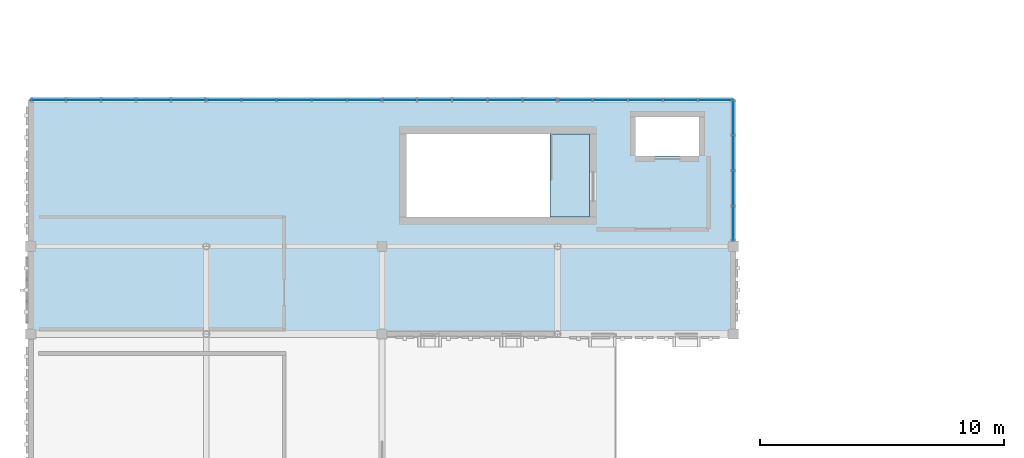
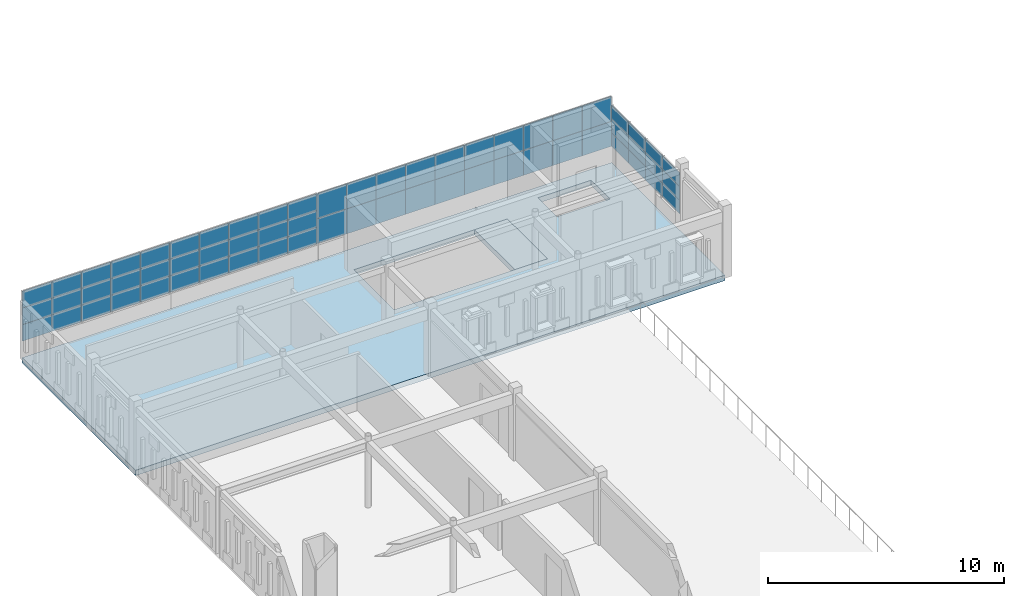
# One storey, part 22 of 46: 62 plates, 2 slabs, 5 elements without a shape of their own.
"""IFC4 building model written with IfcOpenShell, lengths in metres."""

from ifc_helpers import new_model, si_unit, direction, frame, origin, origin_2d, place, context, subcontext, project, spatial, polyline, rectangle, outline, extrude, material, layer, layer_set, type_object, element, aggregate, save


model = new_model("IFC4")

# Units and contexts
model_context = context("Model", 3, precision=1e-05, world=origin(), true_north=direction((0.0, 1.0)))
body_context = subcontext(model_context, "Body", "Model", "MODEL_VIEW")
ifc_project = project(units=[si_unit("LENGTHUNIT", "METRE"), si_unit("AREAUNIT", "SQUARE_METRE"), si_unit("VOLUMEUNIT", "CUBIC_METRE"), si_unit("PLANEANGLEUNIT", "RADIAN"), si_unit("MASSUNIT", "GRAM", prefix="KILO")], contexts=[model_context])

# Site, building, storey
site_placement = place(None, origin())
site = spatial("IfcSite", under=ifc_project, at=site_placement, CompositionType="ELEMENT")
building_placement = place(site_placement, origin())
building = spatial("IfcBuilding", under=site, at=building_placement, Name="Nzembalo Square Collegiate School", CompositionType="ELEMENT")
storey_placement = place(building_placement, frame((0.0, 0.0, 17.340087890625)))
storey = spatial("IfcBuildingStorey", under=building, at=storey_placement, Name="L04", CompositionType="ELEMENT", Elevation=17.340087890625)

# Curtain wall, plates
ifc_material_1 = material(Name="Aluminium 6060-T66", Category="aluminium")
curtain_wall_type_1 = type_object("IfcCurtainWallType", Name="CW-09", PredefinedType="USERDEFINED", material=ifc_material_1)
curtain_wall_1_placement = place(storey_placement, origin())
curtain_wall_1 = element("IfcCurtainWall", 1, at=curtain_wall_1_placement, inside=storey, type_object=curtain_wall_type_1, Name="Curtain wall CW-09 cw:L04:148", ObjectType="UNITISED", PredefinedType="USERDEFINED")
ifc_material_2 = material(Name="Laminated solar-control double glazing", Category="glass")
ifc_layer_1 = layer(ifc_material_2, 0.028076171875, Name="Laminated solar-control double glazing")
ifc_layer_set_1 = layer_set([ifc_layer_1], Name="Laminated solar-control double glazing")
plate_type_1 = type_object("IfcPlateType", Name="PN01", PredefinedType="CURTAIN_PANEL", material=ifc_layer_set_1)
plate_1_placement = place(storey_placement, frame((9.1201171875, 88.800048828125, 0.85400390625), z_axis=(0.0, 0.0, 1.0), x_axis=(1.0, 0.0, 0.0)))
plate_1 = element("IfcPlate", 2, at=plate_1_placement, type_object=plate_type_1, Name="PN01 glazed panel 1-1", PredefinedType="CURTAIN_PANEL", context=body_context, shape_type="SweptSolid", body=[
    extrude(rectangle(XDim=1.431884765625, YDim=0.028076171875, at=origin_2d()), origin(), (0.0, 0.0, 1.0), 0.853271484375),
])
plate_2_placement = place(storey_placement, frame((10.56005859375, 88.800048828125, 0.85400390625), z_axis=(0.0, 0.0, 1.0), x_axis=(1.0, 0.0, 0.0)))
plate_2 = element("IfcPlate", 3, at=plate_2_placement, type_object=plate_type_1, Name="PN01 glazed panel 1-2", PredefinedType="CURTAIN_PANEL", context=body_context, shape_type="SweptSolid", body=[
    extrude(rectangle(XDim=1.431884765625, YDim=0.028076171875, at=origin_2d()), origin(), (0.0, 0.0, 1.0), 0.853271484375),
])
plate_3_placement = place(storey_placement, frame((12.0, 88.800048828125, 0.85400390625), z_axis=(0.0, 0.0, 1.0), x_axis=(1.0, 0.0, 0.0)))
plate_3 = element("IfcPlate", 4, at=plate_3_placement, type_object=plate_type_1, Name="PN01 glazed panel 1-3", PredefinedType="CURTAIN_PANEL", context=body_context, shape_type="SweptSolid", body=[
    extrude(rectangle(XDim=1.431884765625, YDim=0.028076171875, at=origin_2d()), origin(), (0.0, 0.0, 1.0), 0.853271484375),
])
plate_4_placement = place(storey_placement, frame((13.43994140625, 88.800048828125, 0.85400390625), z_axis=(0.0, 0.0, 1.0), x_axis=(1.0, 0.0, 0.0)))
plate_4 = element("IfcPlate", 5, at=plate_4_placement, type_object=plate_type_1, Name="PN01 glazed panel 1-4", PredefinedType="CURTAIN_PANEL", context=body_context, shape_type="SweptSolid", body=[
    extrude(rectangle(XDim=1.431884765625, YDim=0.028076171875, at=origin_2d()), origin(), (0.0, 0.0, 1.0), 0.853271484375),
])
plate_5_placement = place(storey_placement, frame((14.8798828125, 88.800048828125, 0.85400390625), z_axis=(0.0, 0.0, 1.0), x_axis=(1.0, 0.0, 0.0)))
plate_5 = element("IfcPlate", 6, at=plate_5_placement, type_object=plate_type_1, Name="PN01 glazed panel 1-5", PredefinedType="CURTAIN_PANEL", context=body_context, shape_type="SweptSolid", body=[
    extrude(rectangle(XDim=1.431884765625, YDim=0.028076171875, at=origin_2d()), origin(), (0.0, 0.0, 1.0), 0.853271484375),
])
plate_6_placement = place(storey_placement, frame((9.1201171875, 88.800048828125, 1.71533203125), z_axis=(0.0, 0.0, 1.0), x_axis=(1.0, 0.0, 0.0)))
plate_6 = element("IfcPlate", 7, at=plate_6_placement, type_object=plate_type_1, Name="PN01 glazed panel 2-1", PredefinedType="CURTAIN_PANEL", context=body_context, shape_type="SweptSolid", body=[
    extrude(rectangle(XDim=1.431884765625, YDim=0.028076171875, at=origin_2d()), origin(), (0.0, 0.0, 1.0), 0.853271484375),
])
plate_7_placement = place(storey_placement, frame((10.56005859375, 88.800048828125, 1.71533203125), z_axis=(0.0, 0.0, 1.0), x_axis=(1.0, 0.0, 0.0)))
plate_7 = element("IfcPlate", 8, at=plate_7_placement, type_object=plate_type_1, Name="PN01 glazed panel 2-2", PredefinedType="CURTAIN_PANEL", context=body_context, shape_type="SweptSolid", body=[
    extrude(rectangle(XDim=1.431884765625, YDim=0.028076171875, at=origin_2d()), origin(), (0.0, 0.0, 1.0), 0.853271484375),
])
plate_8_placement = place(storey_placement, frame((12.0, 88.800048828125, 1.71533203125), z_axis=(0.0, 0.0, 1.0), x_axis=(1.0, 0.0, 0.0)))
plate_8 = element("IfcPlate", 9, at=plate_8_placement, type_object=plate_type_1, Name="PN01 glazed panel 2-3", PredefinedType="CURTAIN_PANEL", context=body_context, shape_type="SweptSolid", body=[
    extrude(rectangle(XDim=1.431884765625, YDim=0.028076171875, at=origin_2d()), origin(), (0.0, 0.0, 1.0), 0.853271484375),
])
plate_9_placement = place(storey_placement, frame((13.43994140625, 88.800048828125, 1.71533203125), z_axis=(0.0, 0.0, 1.0), x_axis=(1.0, 0.0, 0.0)))
plate_9 = element("IfcPlate", 10, at=plate_9_placement, type_object=plate_type_1, Name="PN01 glazed panel 2-4", PredefinedType="CURTAIN_PANEL", context=body_context, shape_type="SweptSolid", body=[
    extrude(rectangle(XDim=1.431884765625, YDim=0.028076171875, at=origin_2d()), origin(), (0.0, 0.0, 1.0), 0.853271484375),
])
plate_10_placement = place(storey_placement, frame((14.8798828125, 88.800048828125, 1.71533203125), z_axis=(0.0, 0.0, 1.0), x_axis=(1.0, 0.0, 0.0)))
plate_10 = element("IfcPlate", 11, at=plate_10_placement, type_object=plate_type_1, Name="PN01 glazed panel 2-5", PredefinedType="CURTAIN_PANEL", context=body_context, shape_type="SweptSolid", body=[
    extrude(rectangle(XDim=1.431884765625, YDim=0.028076171875, at=origin_2d()), origin(), (0.0, 0.0, 1.0), 0.853271484375),
])
plate_11_placement = place(storey_placement, frame((9.1201171875, 88.800048828125, 2.57666015625), z_axis=(0.0, 0.0, 1.0), x_axis=(1.0, 0.0, 0.0)))
plate_11 = element("IfcPlate", 12, at=plate_11_placement, type_object=plate_type_1, Name="PN01 glazed panel 3-1", PredefinedType="CURTAIN_PANEL", context=body_context, shape_type="SweptSolid", body=[
    extrude(rectangle(XDim=1.431884765625, YDim=0.028076171875, at=origin_2d()), origin(), (0.0, 0.0, 1.0), 0.853271484375),
])
plate_12_placement = place(storey_placement, frame((10.56005859375, 88.800048828125, 2.57666015625), z_axis=(0.0, 0.0, 1.0), x_axis=(1.0, 0.0, 0.0)))
plate_12 = element("IfcPlate", 13, at=plate_12_placement, type_object=plate_type_1, Name="PN01 glazed panel 3-2", PredefinedType="CURTAIN_PANEL", context=body_context, shape_type="SweptSolid", body=[
    extrude(rectangle(XDim=1.431884765625, YDim=0.028076171875, at=origin_2d()), origin(), (0.0, 0.0, 1.0), 0.853271484375),
])
plate_13_placement = place(storey_placement, frame((12.0, 88.800048828125, 2.57666015625), z_axis=(0.0, 0.0, 1.0), x_axis=(1.0, 0.0, 0.0)))
plate_13 = element("IfcPlate", 14, at=plate_13_placement, type_object=plate_type_1, Name="PN01 glazed panel 3-3", PredefinedType="CURTAIN_PANEL", context=body_context, shape_type="SweptSolid", body=[
    extrude(rectangle(XDim=1.431884765625, YDim=0.028076171875, at=origin_2d()), origin(), (0.0, 0.0, 1.0), 0.853271484375),
])
plate_14_placement = place(storey_placement, frame((13.43994140625, 88.800048828125, 2.57666015625), z_axis=(0.0, 0.0, 1.0), x_axis=(1.0, 0.0, 0.0)))
plate_14 = element("IfcPlate", 15, at=plate_14_placement, type_object=plate_type_1, Name="PN01 glazed panel 3-4", PredefinedType="CURTAIN_PANEL", context=body_context, shape_type="SweptSolid", body=[
    extrude(rectangle(XDim=1.431884765625, YDim=0.028076171875, at=origin_2d()), origin(), (0.0, 0.0, 1.0), 0.853271484375),
])
plate_15_placement = place(storey_placement, frame((14.8798828125, 88.800048828125, 2.57666015625), z_axis=(0.0, 0.0, 1.0), x_axis=(1.0, 0.0, 0.0)))
plate_15 = element("IfcPlate", 16, at=plate_15_placement, type_object=plate_type_1, Name="PN01 glazed panel 3-5", PredefinedType="CURTAIN_PANEL", context=body_context, shape_type="SweptSolid", body=[
    extrude(rectangle(XDim=1.431884765625, YDim=0.028076171875, at=origin_2d()), origin(), (0.0, 0.0, 1.0), 0.853271484375),
])
aggregate(curtain_wall_1, [plate_1, plate_2, plate_3, plate_4, plate_5, plate_6, plate_7, plate_8, plate_9, plate_10, plate_11, plate_12, plate_13, plate_14, plate_15])

ifc_material_3 = material(Name="Aluminium 6060-T66", Category="aluminium")
curtain_wall_type_2 = type_object("IfcCurtainWallType", Name="CW-10", PredefinedType="USERDEFINED", material=ifc_material_3)
curtain_wall_2_placement = place(storey_placement, origin())
curtain_wall_2 = element("IfcCurtainWall", 17, at=curtain_wall_2_placement, inside=storey, type_object=curtain_wall_type_2, Name="Curtain wall CW-10 cw:L04:149", ObjectType="UNITISED", PredefinedType="USERDEFINED")
plate_16_placement = place(storey_placement, frame((16.320068359375, 88.800048828125, 0.85400390625), z_axis=(0.0, 0.0, 1.0), x_axis=(1.0, 0.0, 0.0)))
plate_16 = element("IfcPlate", 18, at=plate_16_placement, type_object=plate_type_1, Name="PN01 glazed panel 1-1", PredefinedType="CURTAIN_PANEL", context=body_context, shape_type="SweptSolid", body=[
    extrude(rectangle(XDim=1.431884765625, YDim=0.028076171875, at=origin_2d()), origin(), (0.0, 0.0, 1.0), 0.853271484375),
])
plate_17_placement = place(storey_placement, frame((17.760009765625, 88.800048828125, 0.85400390625), z_axis=(0.0, 0.0, 1.0), x_axis=(1.0, 0.0, 0.0)))
plate_17 = element("IfcPlate", 19, at=plate_17_placement, type_object=plate_type_1, Name="PN01 glazed panel 1-2", PredefinedType="CURTAIN_PANEL", context=body_context, shape_type="SweptSolid", body=[
    extrude(rectangle(XDim=1.431884765625, YDim=0.028076171875, at=origin_2d()), origin(), (0.0, 0.0, 1.0), 0.853271484375),
])
plate_18_placement = place(storey_placement, frame((19.199951171875, 88.800048828125, 0.85400390625), z_axis=(0.0, 0.0, 1.0), x_axis=(1.0, 0.0, 0.0)))
plate_18 = element("IfcPlate", 20, at=plate_18_placement, type_object=plate_type_1, Name="PN01 glazed panel 1-3", PredefinedType="CURTAIN_PANEL", context=body_context, shape_type="SweptSolid", body=[
    extrude(rectangle(XDim=1.431884765625, YDim=0.028076171875, at=origin_2d()), origin(), (0.0, 0.0, 1.0), 0.853271484375),
])
plate_19_placement = place(storey_placement, frame((20.639892578125, 88.800048828125, 0.85400390625), z_axis=(0.0, 0.0, 1.0), x_axis=(1.0, 0.0, 0.0)))
plate_19 = element("IfcPlate", 21, at=plate_19_placement, type_object=plate_type_1, Name="PN01 glazed panel 1-4", PredefinedType="CURTAIN_PANEL", context=body_context, shape_type="SweptSolid", body=[
    extrude(rectangle(XDim=1.431884765625, YDim=0.028076171875, at=origin_2d()), origin(), (0.0, 0.0, 1.0), 0.853271484375),
])
plate_20_placement = place(storey_placement, frame((22.080078125, 88.800048828125, 0.85400390625), z_axis=(0.0, 0.0, 1.0), x_axis=(1.0, 0.0, 0.0)))
plate_20 = element("IfcPlate", 22, at=plate_20_placement, type_object=plate_type_1, Name="PN01 glazed panel 1-5", PredefinedType="CURTAIN_PANEL", context=body_context, shape_type="SweptSolid", body=[
    extrude(rectangle(XDim=1.431884765625, YDim=0.028076171875, at=origin_2d()), origin(), (0.0, 0.0, 1.0), 0.853271484375),
])
plate_21_placement = place(storey_placement, frame((16.320068359375, 88.800048828125, 1.71533203125), z_axis=(0.0, 0.0, 1.0), x_axis=(1.0, 0.0, 0.0)))
plate_21 = element("IfcPlate", 23, at=plate_21_placement, type_object=plate_type_1, Name="PN01 glazed panel 2-1", PredefinedType="CURTAIN_PANEL", context=body_context, shape_type="SweptSolid", body=[
    extrude(rectangle(XDim=1.431884765625, YDim=0.028076171875, at=origin_2d()), origin(), (0.0, 0.0, 1.0), 0.853271484375),
])
plate_22_placement = place(storey_placement, frame((17.760009765625, 88.800048828125, 1.71533203125), z_axis=(0.0, 0.0, 1.0), x_axis=(1.0, 0.0, 0.0)))
plate_22 = element("IfcPlate", 24, at=plate_22_placement, type_object=plate_type_1, Name="PN01 glazed panel 2-2", PredefinedType="CURTAIN_PANEL", context=body_context, shape_type="SweptSolid", body=[
    extrude(rectangle(XDim=1.431884765625, YDim=0.028076171875, at=origin_2d()), origin(), (0.0, 0.0, 1.0), 0.853271484375),
])
plate_23_placement = place(storey_placement, frame((19.199951171875, 88.800048828125, 1.71533203125), z_axis=(0.0, 0.0, 1.0), x_axis=(1.0, 0.0, 0.0)))
plate_23 = element("IfcPlate", 25, at=plate_23_placement, type_object=plate_type_1, Name="PN01 glazed panel 2-3", PredefinedType="CURTAIN_PANEL", context=body_context, shape_type="SweptSolid", body=[
    extrude(rectangle(XDim=1.431884765625, YDim=0.028076171875, at=origin_2d()), origin(), (0.0, 0.0, 1.0), 0.853271484375),
])
plate_24_placement = place(storey_placement, frame((20.639892578125, 88.800048828125, 1.71533203125), z_axis=(0.0, 0.0, 1.0), x_axis=(1.0, 0.0, 0.0)))
plate_24 = element("IfcPlate", 26, at=plate_24_placement, type_object=plate_type_1, Name="PN01 glazed panel 2-4", PredefinedType="CURTAIN_PANEL", context=body_context, shape_type="SweptSolid", body=[
    extrude(rectangle(XDim=1.431884765625, YDim=0.028076171875, at=origin_2d()), origin(), (0.0, 0.0, 1.0), 0.853271484375),
])
plate_25_placement = place(storey_placement, frame((22.080078125, 88.800048828125, 1.71533203125), z_axis=(0.0, 0.0, 1.0), x_axis=(1.0, 0.0, 0.0)))
plate_25 = element("IfcPlate", 27, at=plate_25_placement, type_object=plate_type_1, Name="PN01 glazed panel 2-5", PredefinedType="CURTAIN_PANEL", context=body_context, shape_type="SweptSolid", body=[
    extrude(rectangle(XDim=1.431884765625, YDim=0.028076171875, at=origin_2d()), origin(), (0.0, 0.0, 1.0), 0.853271484375),
])
plate_26_placement = place(storey_placement, frame((16.320068359375, 88.800048828125, 2.57666015625), z_axis=(0.0, 0.0, 1.0), x_axis=(1.0, 0.0, 0.0)))
plate_26 = element("IfcPlate", 28, at=plate_26_placement, type_object=plate_type_1, Name="PN01 glazed panel 3-1", PredefinedType="CURTAIN_PANEL", context=body_context, shape_type="SweptSolid", body=[
    extrude(rectangle(XDim=1.431884765625, YDim=0.028076171875, at=origin_2d()), origin(), (0.0, 0.0, 1.0), 0.853271484375),
])
plate_27_placement = place(storey_placement, frame((17.760009765625, 88.800048828125, 2.57666015625), z_axis=(0.0, 0.0, 1.0), x_axis=(1.0, 0.0, 0.0)))
plate_27 = element("IfcPlate", 29, at=plate_27_placement, type_object=plate_type_1, Name="PN01 glazed panel 3-2", PredefinedType="CURTAIN_PANEL", context=body_context, shape_type="SweptSolid", body=[
    extrude(rectangle(XDim=1.431884765625, YDim=0.028076171875, at=origin_2d()), origin(), (0.0, 0.0, 1.0), 0.853271484375),
])
plate_28_placement = place(storey_placement, frame((19.199951171875, 88.800048828125, 2.57666015625), z_axis=(0.0, 0.0, 1.0), x_axis=(1.0, 0.0, 0.0)))
plate_28 = element("IfcPlate", 30, at=plate_28_placement, type_object=plate_type_1, Name="PN01 glazed panel 3-3", PredefinedType="CURTAIN_PANEL", context=body_context, shape_type="SweptSolid", body=[
    extrude(rectangle(XDim=1.431884765625, YDim=0.028076171875, at=origin_2d()), origin(), (0.0, 0.0, 1.0), 0.853271484375),
])
plate_29_placement = place(storey_placement, frame((20.639892578125, 88.800048828125, 2.57666015625), z_axis=(0.0, 0.0, 1.0), x_axis=(1.0, 0.0, 0.0)))
plate_29 = element("IfcPlate", 31, at=plate_29_placement, type_object=plate_type_1, Name="PN01 glazed panel 3-4", PredefinedType="CURTAIN_PANEL", context=body_context, shape_type="SweptSolid", body=[
    extrude(rectangle(XDim=1.431884765625, YDim=0.028076171875, at=origin_2d()), origin(), (0.0, 0.0, 1.0), 0.853271484375),
])
plate_30_placement = place(storey_placement, frame((22.080078125, 88.800048828125, 2.57666015625), z_axis=(0.0, 0.0, 1.0), x_axis=(1.0, 0.0, 0.0)))
plate_30 = element("IfcPlate", 32, at=plate_30_placement, type_object=plate_type_1, Name="PN01 glazed panel 3-5", PredefinedType="CURTAIN_PANEL", context=body_context, shape_type="SweptSolid", body=[
    extrude(rectangle(XDim=1.431884765625, YDim=0.028076171875, at=origin_2d()), origin(), (0.0, 0.0, 1.0), 0.853271484375),
])
aggregate(curtain_wall_2, [plate_16, plate_17, plate_18, plate_19, plate_20, plate_21, plate_22, plate_23, plate_24, plate_25, plate_26, plate_27, plate_28, plate_29, plate_30])

ifc_material_4 = material(Name="Aluminium 6060-T66", Category="aluminium")
curtain_wall_type_3 = type_object("IfcCurtainWallType", Name="CW-01", PredefinedType="USERDEFINED", material=ifc_material_4)
curtain_wall_3_placement = place(storey_placement, origin())
curtain_wall_3 = element("IfcCurtainWall", 33, at=curtain_wall_3_placement, inside=storey, type_object=curtain_wall_type_3, Name="Curtain wall CW-01 cw:L04:152", ObjectType="UNITISED", PredefinedType="USERDEFINED")
plate_31_placement = place(storey_placement, frame((37.199951171875, 83.735595703125, 0.85400390625), z_axis=(0.0, 0.0, 1.0), x_axis=(0.0, 1.0, 0.0)))
plate_31 = element("IfcPlate", 34, at=plate_31_placement, type_object=plate_type_1, Name="PN01 glazed panel 1-1", PredefinedType="CURTAIN_PANEL", context=body_context, shape_type="SweptSolid", body=[
    extrude(rectangle(XDim=1.43896484375, YDim=0.028076171875, at=origin_2d()), origin(), (0.0, 0.0, 1.0), 0.70166015625),
])
plate_32_placement = place(storey_placement, frame((37.199951171875, 85.1826171875, 0.85400390625), z_axis=(0.0, 0.0, 1.0), x_axis=(0.0, 1.0, 0.0)))
plate_32 = element("IfcPlate", 35, at=plate_32_placement, type_object=plate_type_1, Name="PN01 glazed panel 1-2", PredefinedType="CURTAIN_PANEL", context=body_context, shape_type="SweptSolid", body=[
    extrude(rectangle(XDim=1.43896484375, YDim=0.028076171875, at=origin_2d()), origin(), (0.0, 0.0, 1.0), 0.70166015625),
])
plate_33_placement = place(storey_placement, frame((37.199951171875, 86.62939453125, 0.85400390625), z_axis=(0.0, 0.0, 1.0), x_axis=(0.0, 1.0, 0.0)))
plate_33 = element("IfcPlate", 36, at=plate_33_placement, type_object=plate_type_1, Name="PN01 glazed panel 1-3", PredefinedType="CURTAIN_PANEL", context=body_context, shape_type="SweptSolid", body=[
    extrude(rectangle(XDim=1.43896484375, YDim=0.028076171875, at=origin_2d()), origin(), (0.0, 0.0, 1.0), 0.70166015625),
])
plate_34_placement = place(storey_placement, frame((37.199951171875, 88.076416015625, 0.85400390625), z_axis=(0.0, 0.0, 1.0), x_axis=(0.0, 1.0, 0.0)))
plate_34 = element("IfcPlate", 37, at=plate_34_placement, type_object=plate_type_1, Name="PN01 glazed panel 1-4", PredefinedType="CURTAIN_PANEL", context=body_context, shape_type="SweptSolid", body=[
    extrude(rectangle(XDim=1.43896484375, YDim=0.028076171875, at=origin_2d()), origin(), (0.0, 0.0, 1.0), 0.70166015625),
])
plate_35_placement = place(storey_placement, frame((37.199951171875, 83.735595703125, 1.5634765625), z_axis=(0.0, 0.0, 1.0), x_axis=(0.0, 1.0, 0.0)))
plate_35 = element("IfcPlate", 38, at=plate_35_placement, type_object=plate_type_1, Name="PN01 glazed panel 2-1", PredefinedType="CURTAIN_PANEL", context=body_context, shape_type="SweptSolid", body=[
    extrude(rectangle(XDim=1.43896484375, YDim=0.028076171875, at=origin_2d()), origin(), (0.0, 0.0, 1.0), 0.70166015625),
])
plate_36_placement = place(storey_placement, frame((37.199951171875, 85.1826171875, 1.5634765625), z_axis=(0.0, 0.0, 1.0), x_axis=(0.0, 1.0, 0.0)))
plate_36 = element("IfcPlate", 39, at=plate_36_placement, type_object=plate_type_1, Name="PN01 glazed panel 2-2", PredefinedType="CURTAIN_PANEL", context=body_context, shape_type="SweptSolid", body=[
    extrude(rectangle(XDim=1.43896484375, YDim=0.028076171875, at=origin_2d()), origin(), (0.0, 0.0, 1.0), 0.70166015625),
])
plate_37_placement = place(storey_placement, frame((37.199951171875, 86.62939453125, 1.5634765625), z_axis=(0.0, 0.0, 1.0), x_axis=(0.0, 1.0, 0.0)))
plate_37 = element("IfcPlate", 40, at=plate_37_placement, type_object=plate_type_1, Name="PN01 glazed panel 2-3", PredefinedType="CURTAIN_PANEL", context=body_context, shape_type="SweptSolid", body=[
    extrude(rectangle(XDim=1.43896484375, YDim=0.028076171875, at=origin_2d()), origin(), (0.0, 0.0, 1.0), 0.70166015625),
])
plate_38_placement = place(storey_placement, frame((37.199951171875, 88.076416015625, 1.5634765625), z_axis=(0.0, 0.0, 1.0), x_axis=(0.0, 1.0, 0.0)))
plate_38 = element("IfcPlate", 41, at=plate_38_placement, type_object=plate_type_1, Name="PN01 glazed panel 2-4", PredefinedType="CURTAIN_PANEL", context=body_context, shape_type="SweptSolid", body=[
    extrude(rectangle(XDim=1.43896484375, YDim=0.028076171875, at=origin_2d()), origin(), (0.0, 0.0, 1.0), 0.70166015625),
])
plate_39_placement = place(storey_placement, frame((37.199951171875, 83.735595703125, 2.273193359375), z_axis=(0.0, 0.0, 1.0), x_axis=(0.0, 1.0, 0.0)))
plate_39 = element("IfcPlate", 42, at=plate_39_placement, type_object=plate_type_1, Name="PN01 glazed panel 3-1", PredefinedType="CURTAIN_PANEL", context=body_context, shape_type="SweptSolid", body=[
    extrude(rectangle(XDim=1.43896484375, YDim=0.028076171875, at=origin_2d()), origin(), (0.0, 0.0, 1.0), 0.70166015625),
])
plate_40_placement = place(storey_placement, frame((37.199951171875, 85.1826171875, 2.273193359375), z_axis=(0.0, 0.0, 1.0), x_axis=(0.0, 1.0, 0.0)))
plate_40 = element("IfcPlate", 43, at=plate_40_placement, type_object=plate_type_1, Name="PN01 glazed panel 3-2", PredefinedType="CURTAIN_PANEL", context=body_context, shape_type="SweptSolid", body=[
    extrude(rectangle(XDim=1.43896484375, YDim=0.028076171875, at=origin_2d()), origin(), (0.0, 0.0, 1.0), 0.70166015625),
])
plate_41_placement = place(storey_placement, frame((37.199951171875, 86.62939453125, 2.273193359375), z_axis=(0.0, 0.0, 1.0), x_axis=(0.0, 1.0, 0.0)))
plate_41 = element("IfcPlate", 44, at=plate_41_placement, type_object=plate_type_1, Name="PN01 glazed panel 3-3", PredefinedType="CURTAIN_PANEL", context=body_context, shape_type="SweptSolid", body=[
    extrude(rectangle(XDim=1.43896484375, YDim=0.028076171875, at=origin_2d()), origin(), (0.0, 0.0, 1.0), 0.70166015625),
])
plate_42_placement = place(storey_placement, frame((37.199951171875, 88.076416015625, 2.273193359375), z_axis=(0.0, 0.0, 1.0), x_axis=(0.0, 1.0, 0.0)))
plate_42 = element("IfcPlate", 45, at=plate_42_placement, type_object=plate_type_1, Name="PN01 glazed panel 3-4", PredefinedType="CURTAIN_PANEL", context=body_context, shape_type="SweptSolid", body=[
    extrude(rectangle(XDim=1.43896484375, YDim=0.028076171875, at=origin_2d()), origin(), (0.0, 0.0, 1.0), 0.70166015625),
])
aggregate(curtain_wall_3, [plate_31, plate_32, plate_33, plate_34, plate_35, plate_36, plate_37, plate_38, plate_39, plate_40, plate_41, plate_42])

ifc_material_5 = material(Name="Aluminium 6060-T66", Category="aluminium")
curtain_wall_type_4 = type_object("IfcCurtainWallType", Name="CW-11", PredefinedType="USERDEFINED", material=ifc_material_5)
curtain_wall_4_placement = place(storey_placement, origin())
curtain_wall_4 = element("IfcCurtainWall", 46, at=curtain_wall_4_placement, inside=storey, type_object=curtain_wall_type_4, Name="Curtain wall CW-11 cw:L04:150", ObjectType="LANCET", PredefinedType="USERDEFINED")
ifc_material_6 = material(Name="Acoustic laminated solar-control glazing", Category="glass")
ifc_layer_2 = layer(ifc_material_6, 0.031982421875, Name="Acoustic laminated solar-control glazing")
ifc_layer_set_2 = layer_set([ifc_layer_2], Name="Acoustic laminated solar-control glazing")
plate_type_2 = type_object("IfcPlateType", Name="PN02", PredefinedType="CURTAIN_PANEL", material=ifc_layer_set_2)
plate_43_placement = place(storey_placement, frame((23.52001953125, 88.800048828125, 0.85400390625), z_axis=(0.0, 0.0, 1.0), x_axis=(1.0, 0.0, 0.0)))
plate_43 = element("IfcPlate", 47, at=plate_43_placement, type_object=plate_type_2, Name="PN02 glazed panel 1-1", PredefinedType="CURTAIN_PANEL", context=body_context, shape_type="SweptSolid", body=[
    extrude(rectangle(XDim=1.431884765625, YDim=0.031982421875, at=origin_2d()), origin(), (0.0, 0.0, 1.0), 1.283935546875),
])
plate_44_placement = place(storey_placement, frame((24.9599609375, 88.800048828125, 0.85400390625), z_axis=(0.0, 0.0, 1.0), x_axis=(1.0, 0.0, 0.0)))
plate_44 = element("IfcPlate", 48, at=plate_44_placement, type_object=plate_type_2, Name="PN02 glazed panel 1-2", PredefinedType="CURTAIN_PANEL", context=body_context, shape_type="SweptSolid", body=[
    extrude(rectangle(XDim=1.431884765625, YDim=0.031982421875, at=origin_2d()), origin(), (0.0, 0.0, 1.0), 1.283935546875),
])
plate_45_placement = place(storey_placement, frame((26.39990234375, 88.800048828125, 0.85400390625), z_axis=(0.0, 0.0, 1.0), x_axis=(1.0, 0.0, 0.0)))
plate_45 = element("IfcPlate", 49, at=plate_45_placement, type_object=plate_type_2, Name="PN02 glazed panel 1-3", PredefinedType="CURTAIN_PANEL", context=body_context, shape_type="SweptSolid", body=[
    extrude(rectangle(XDim=1.431884765625, YDim=0.031982421875, at=origin_2d()), origin(), (0.0, 0.0, 1.0), 1.283935546875),
])
plate_46_placement = place(storey_placement, frame((27.840087890625, 88.800048828125, 0.85400390625), z_axis=(0.0, 0.0, 1.0), x_axis=(1.0, 0.0, 0.0)))
plate_46 = element("IfcPlate", 50, at=plate_46_placement, type_object=plate_type_2, Name="PN02 glazed panel 1-4", PredefinedType="CURTAIN_PANEL", context=body_context, shape_type="SweptSolid", body=[
    extrude(rectangle(XDim=1.431884765625, YDim=0.031982421875, at=origin_2d()), origin(), (0.0, 0.0, 1.0), 1.283935546875),
])
plate_47_placement = place(storey_placement, frame((29.280029296875, 88.800048828125, 0.85400390625), z_axis=(0.0, 0.0, 1.0), x_axis=(1.0, 0.0, 0.0)))
plate_47 = element("IfcPlate", 51, at=plate_47_placement, type_object=plate_type_2, Name="PN02 glazed panel 1-5", PredefinedType="CURTAIN_PANEL", context=body_context, shape_type="SweptSolid", body=[
    extrude(rectangle(XDim=1.431884765625, YDim=0.031982421875, at=origin_2d()), origin(), (0.0, 0.0, 1.0), 1.283935546875),
])
plate_48_placement = place(storey_placement, frame((23.52001953125, 88.800048828125, 2.14599609375), z_axis=(0.0, 0.0, 1.0), x_axis=(1.0, 0.0, 0.0)))
plate_48 = element("IfcPlate", 52, at=plate_48_placement, type_object=plate_type_2, Name="PN02 glazed panel 2-1", PredefinedType="CURTAIN_PANEL", context=body_context, shape_type="SweptSolid", body=[
    extrude(rectangle(XDim=1.431884765625, YDim=0.031982421875, at=origin_2d()), origin(), (0.0, 0.0, 1.0), 1.283935546875),
])
plate_49_placement = place(storey_placement, frame((24.9599609375, 88.800048828125, 2.14599609375), z_axis=(0.0, 0.0, 1.0), x_axis=(1.0, 0.0, 0.0)))
plate_49 = element("IfcPlate", 53, at=plate_49_placement, type_object=plate_type_2, Name="PN02 glazed panel 2-2", PredefinedType="CURTAIN_PANEL", context=body_context, shape_type="SweptSolid", body=[
    extrude(rectangle(XDim=1.431884765625, YDim=0.031982421875, at=origin_2d()), origin(), (0.0, 0.0, 1.0), 1.283935546875),
])
plate_50_placement = place(storey_placement, frame((26.39990234375, 88.800048828125, 2.14599609375), z_axis=(0.0, 0.0, 1.0), x_axis=(1.0, 0.0, 0.0)))
plate_50 = element("IfcPlate", 54, at=plate_50_placement, type_object=plate_type_2, Name="PN02 glazed panel 2-3", PredefinedType="CURTAIN_PANEL", context=body_context, shape_type="SweptSolid", body=[
    extrude(rectangle(XDim=1.431884765625, YDim=0.031982421875, at=origin_2d()), origin(), (0.0, 0.0, 1.0), 1.283935546875),
])
plate_51_placement = place(storey_placement, frame((27.840087890625, 88.800048828125, 2.14599609375), z_axis=(0.0, 0.0, 1.0), x_axis=(1.0, 0.0, 0.0)))
plate_51 = element("IfcPlate", 55, at=plate_51_placement, type_object=plate_type_2, Name="PN02 glazed panel 2-4", PredefinedType="CURTAIN_PANEL", context=body_context, shape_type="SweptSolid", body=[
    extrude(rectangle(XDim=1.431884765625, YDim=0.031982421875, at=origin_2d()), origin(), (0.0, 0.0, 1.0), 1.283935546875),
])
plate_52_placement = place(storey_placement, frame((29.280029296875, 88.800048828125, 2.14599609375), z_axis=(0.0, 0.0, 1.0), x_axis=(1.0, 0.0, 0.0)))
plate_52 = element("IfcPlate", 56, at=plate_52_placement, type_object=plate_type_2, Name="PN02 glazed panel 2-5", PredefinedType="CURTAIN_PANEL", context=body_context, shape_type="SweptSolid", body=[
    extrude(rectangle(XDim=1.431884765625, YDim=0.031982421875, at=origin_2d()), origin(), (0.0, 0.0, 1.0), 1.283935546875),
])
aggregate(curtain_wall_4, [plate_43, plate_44, plate_45, plate_46, plate_47, plate_48, plate_49, plate_50, plate_51, plate_52])

ifc_material_7 = material(Name="Aluminium 6060-T66", Category="aluminium")
curtain_wall_type_5 = type_object("IfcCurtainWallType", Name="CW-12", PredefinedType="USERDEFINED", material=ifc_material_7)
curtain_wall_5_placement = place(storey_placement, origin())
curtain_wall_5 = element("IfcCurtainWall", 57, at=curtain_wall_5_placement, inside=storey, type_object=curtain_wall_type_5, Name="Curtain wall CW-12 cw:L04:151", ObjectType="LANCET", PredefinedType="USERDEFINED")
plate_53_placement = place(storey_placement, frame((30.719970703125, 88.800048828125, 0.85400390625), z_axis=(0.0, 0.0, 1.0), x_axis=(1.0, 0.0, 0.0)))
plate_53 = element("IfcPlate", 58, at=plate_53_placement, type_object=plate_type_2, Name="PN02 glazed panel 1-1", PredefinedType="CURTAIN_PANEL", context=body_context, shape_type="SweptSolid", body=[
    extrude(rectangle(XDim=1.431884765625, YDim=0.031982421875, at=origin_2d()), origin(), (0.0, 0.0, 1.0), 1.283935546875),
])
plate_54_placement = place(storey_placement, frame((32.159912109375, 88.800048828125, 0.85400390625), z_axis=(0.0, 0.0, 1.0), x_axis=(1.0, 0.0, 0.0)))
plate_54 = element("IfcPlate", 59, at=plate_54_placement, type_object=plate_type_2, Name="PN02 glazed panel 1-2", PredefinedType="CURTAIN_PANEL", context=body_context, shape_type="SweptSolid", body=[
    extrude(rectangle(XDim=1.431884765625, YDim=0.031982421875, at=origin_2d()), origin(), (0.0, 0.0, 1.0), 1.283935546875),
])
plate_55_placement = place(storey_placement, frame((33.60009765625, 88.800048828125, 0.85400390625), z_axis=(0.0, 0.0, 1.0), x_axis=(1.0, 0.0, 0.0)))
plate_55 = element("IfcPlate", 60, at=plate_55_placement, type_object=plate_type_2, Name="PN02 glazed panel 1-3", PredefinedType="CURTAIN_PANEL", context=body_context, shape_type="SweptSolid", body=[
    extrude(rectangle(XDim=1.431884765625, YDim=0.031982421875, at=origin_2d()), origin(), (0.0, 0.0, 1.0), 1.283935546875),
])
plate_56_placement = place(storey_placement, frame((35.0400390625, 88.800048828125, 0.85400390625), z_axis=(0.0, 0.0, 1.0), x_axis=(1.0, 0.0, 0.0)))
plate_56 = element("IfcPlate", 61, at=plate_56_placement, type_object=plate_type_2, Name="PN02 glazed panel 1-4", PredefinedType="CURTAIN_PANEL", context=body_context, shape_type="SweptSolid", body=[
    extrude(rectangle(XDim=1.431884765625, YDim=0.031982421875, at=origin_2d()), origin(), (0.0, 0.0, 1.0), 1.283935546875),
])
plate_57_placement = place(storey_placement, frame((36.47998046875, 88.800048828125, 0.85400390625), z_axis=(0.0, 0.0, 1.0), x_axis=(1.0, 0.0, 0.0)))
plate_57 = element("IfcPlate", 62, at=plate_57_placement, type_object=plate_type_2, Name="PN02 glazed panel 1-5", PredefinedType="CURTAIN_PANEL", context=body_context, shape_type="SweptSolid", body=[
    extrude(rectangle(XDim=1.431884765625, YDim=0.031982421875, at=origin_2d()), origin(), (0.0, 0.0, 1.0), 1.283935546875),
])
plate_58_placement = place(storey_placement, frame((30.719970703125, 88.800048828125, 2.14599609375), z_axis=(0.0, 0.0, 1.0), x_axis=(1.0, 0.0, 0.0)))
plate_58 = element("IfcPlate", 63, at=plate_58_placement, type_object=plate_type_2, Name="PN02 glazed panel 2-1", PredefinedType="CURTAIN_PANEL", context=body_context, shape_type="SweptSolid", body=[
    extrude(rectangle(XDim=1.431884765625, YDim=0.031982421875, at=origin_2d()), origin(), (0.0, 0.0, 1.0), 1.283935546875),
])
plate_59_placement = place(storey_placement, frame((32.159912109375, 88.800048828125, 2.14599609375), z_axis=(0.0, 0.0, 1.0), x_axis=(1.0, 0.0, 0.0)))
plate_59 = element("IfcPlate", 64, at=plate_59_placement, type_object=plate_type_2, Name="PN02 glazed panel 2-2", PredefinedType="CURTAIN_PANEL", context=body_context, shape_type="SweptSolid", body=[
    extrude(rectangle(XDim=1.431884765625, YDim=0.031982421875, at=origin_2d()), origin(), (0.0, 0.0, 1.0), 1.283935546875),
])
plate_60_placement = place(storey_placement, frame((33.60009765625, 88.800048828125, 2.14599609375), z_axis=(0.0, 0.0, 1.0), x_axis=(1.0, 0.0, 0.0)))
plate_60 = element("IfcPlate", 65, at=plate_60_placement, type_object=plate_type_2, Name="PN02 glazed panel 2-3", PredefinedType="CURTAIN_PANEL", context=body_context, shape_type="SweptSolid", body=[
    extrude(rectangle(XDim=1.431884765625, YDim=0.031982421875, at=origin_2d()), origin(), (0.0, 0.0, 1.0), 1.283935546875),
])
plate_61_placement = place(storey_placement, frame((35.0400390625, 88.800048828125, 2.14599609375), z_axis=(0.0, 0.0, 1.0), x_axis=(1.0, 0.0, 0.0)))
plate_61 = element("IfcPlate", 66, at=plate_61_placement, type_object=plate_type_2, Name="PN02 glazed panel 2-4", PredefinedType="CURTAIN_PANEL", context=body_context, shape_type="SweptSolid", body=[
    extrude(rectangle(XDim=1.431884765625, YDim=0.031982421875, at=origin_2d()), origin(), (0.0, 0.0, 1.0), 1.283935546875),
])
plate_62_placement = place(storey_placement, frame((36.47998046875, 88.800048828125, 2.14599609375), z_axis=(0.0, 0.0, 1.0), x_axis=(1.0, 0.0, 0.0)))
plate_62 = element("IfcPlate", 67, at=plate_62_placement, type_object=plate_type_2, Name="PN02 glazed panel 2-5", PredefinedType="CURTAIN_PANEL", context=body_context, shape_type="SweptSolid", body=[
    extrude(rectangle(XDim=1.431884765625, YDim=0.031982421875, at=origin_2d()), origin(), (0.0, 0.0, 1.0), 1.283935546875),
])
aggregate(curtain_wall_5, [plate_53, plate_54, plate_55, plate_56, plate_57, plate_58, plate_59, plate_60, plate_61, plate_62])

# Slabs
ifc_material_8 = material(Name="CLT CL24", Category="wood")
ifc_layer_3 = layer(ifc_material_8, 0.27587890625, Name="CLT CL24")
ifc_layer_set_3 = layer_set([ifc_layer_3], Name="CLT CL24")
slab_type = type_object("IfcSlabType", Name="SL-04", PredefinedType="FLOOR", material=ifc_layer_set_3)
slab_1_placement = place(storey_placement, frame((0.0, 0.0, -0.276123046875)))
element("IfcSlab", 68, at=slab_1_placement, inside=storey, type_object=slab_type, Name="Slab SL-L04-77", PredefinedType="FLOOR", context=body_context, shape_type="SweptSolid", body=[
    extrude(outline(polyline([(8.39990234375, 79.199951171875), (37.199951171875, 79.199951171875), (37.199951171875, 88.800048828125), (8.39990234375, 88.800048828125), (8.39990234375, 79.199951171875)]), holes=[polyline([(33.199951171875, 86.5), (35.800048828125, 86.5), (35.800048828125, 88.10009765625), (33.199951171875, 88.10009765625), (33.199951171875, 86.5)]), polyline([(31.300048828125, 87.39990234375), (23.800048828125, 87.39990234375), (23.800048828125, 84.0), (31.300048828125, 84.0), (31.300048828125, 87.39990234375)])]), origin(), (0.0, 0.0, 1.0), 0.276123046875),
])
slab_2_placement = place(storey_placement, frame((0.0, 0.0, -0.276123046875)))
element("IfcSlab", 69, at=slab_2_placement, inside=storey, type_object=slab_type, Name="Core C2 floor landing slab SL-L04-C2", PredefinedType="FLOOR", context=body_context, shape_type="SweptSolid", body=[
    extrude(outline(polyline([(29.699951171875, 84.0), (31.300048828125, 84.0), (31.300048828125, 87.39990234375), (29.699951171875, 87.39990234375), (29.699951171875, 84.0)])), origin(), (0.0, 0.0, 1.0), 0.276123046875),
])

save(model, "model.ifc")
